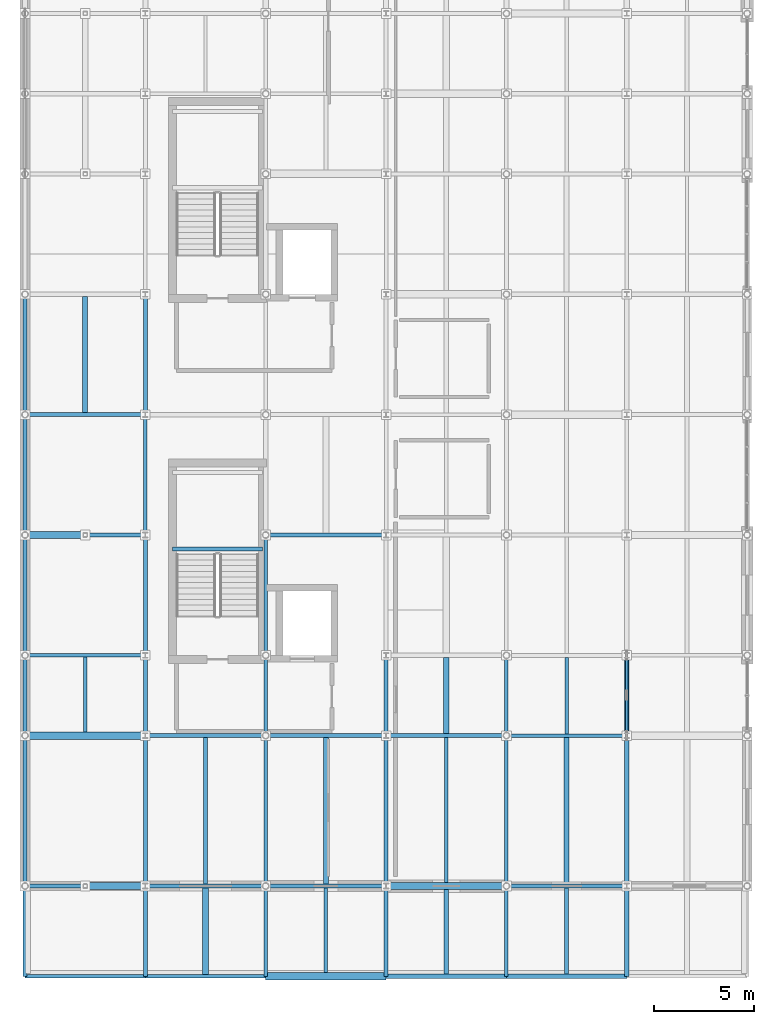
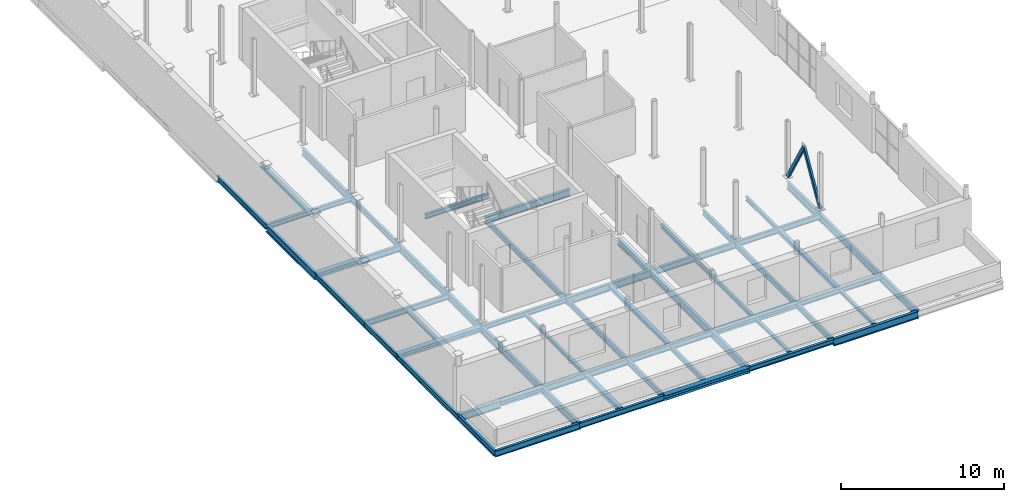
# One storey, part 11 of 30: 59 beams, 2 members.
"""IFC4 building model written with IfcOpenShell, lengths in metres."""

from ifc_helpers import new_model, si_unit, direction, frame, origin, origin_2d, place, context, subcontext, project, spatial, hollow_rectangle, i_section, extrude, material, material_profile, profile_set, type_object, element, save


model = new_model("IFC4")

# Units and contexts
model_context = context("Model", 3, precision=1e-05, world=origin(), true_north=direction((0.0, 1.0)))
body_context = subcontext(model_context, "Body", "Model", "MODEL_VIEW")
ifc_project = project(units=[si_unit("LENGTHUNIT", "METRE"), si_unit("AREAUNIT", "SQUARE_METRE"), si_unit("VOLUMEUNIT", "CUBIC_METRE"), si_unit("PLANEANGLEUNIT", "RADIAN"), si_unit("MASSUNIT", "GRAM", prefix="KILO")], contexts=[model_context])

# Site, building, storey
site_placement = place(None, origin())
site = spatial("IfcSite", under=ifc_project, at=site_placement, CompositionType="ELEMENT")
building_placement = place(site_placement, origin())
building = spatial("IfcBuilding", under=site, at=building_placement, Name="Verrall Gate Interchange", CompositionType="ELEMENT")
storey_placement = place(building_placement, frame((0.0, 0.0, 19.39990234375)))
storey = spatial("IfcBuildingStorey", under=building, at=storey_placement, Name="L05", CompositionType="ELEMENT", Elevation=19.39990234375)

# Beams
ifc_material_1 = material(Name="Structural Steel CSA G40.21 350W", Category="steel")
ifc_material_profile_1 = material_profile(ifc_material_1, i_section(OverallWidth=0.2109375, OverallDepth=0.5390625, WebThickness=0.01171875, FlangeThickness=0.018798828125, FilletRadius=0.013916015625, at=origin_2d()), Name="W530x109")
ifc_profile_set_1 = profile_set([ifc_material_profile_1], Name="Structural Steel CSA G40.21 350W")
beam_type_1 = type_object("IfcBeamType", Name="B-10 Structural Beam W530x109", PredefinedType="BEAM", material=ifc_profile_set_1)
beam_1_placement = place(storey_placement, frame((24.0, 0.0, -0.599365234375), z_axis=(1.0, 0.0, 0.0), x_axis=(0.0, 1.0, 0.0)))
element("IfcBeam", 1, at=beam_1_placement, inside=storey, type_object=beam_type_1, Name="L05 Girder BM-L05-2850 (B-10)", PredefinedType="BEAM", context=body_context, shape_type="SweptSolid", body=[
    extrude(i_section(OverallWidth=0.2109375, OverallDepth=0.5390625, WebThickness=0.01171875, FlangeThickness=0.018798828125, FilletRadius=0.013916015625, at=origin_2d()), origin(), (0.0, 0.0, 1.0), 6.0),
])
beam_2_placement = place(storey_placement, frame((0.0, 4.5, -0.599365234375), z_axis=(1.0, 0.0, 0.0), x_axis=(0.0, 1.0, 0.0)))
element("IfcBeam", 2, at=beam_2_placement, inside=storey, type_object=beam_type_1, Name="L05 Girder BM-L05-2852 (B-10)", PredefinedType="BEAM", context=body_context, shape_type="SweptSolid", body=[
    extrude(i_section(OverallWidth=0.2109375, OverallDepth=0.5390625, WebThickness=0.01171875, FlangeThickness=0.018798828125, FilletRadius=0.013916015625, at=origin_2d()), origin(), (0.0, 0.0, 1.0), 3.0),
])
for number, where, z_axis, x_axis, name in (
    (3, (12.0, 12.0, -0.599365234375), (1.0, 0.0, 0.0), (0.0, 1.0, 0.0), "L05 Girder BM-L05-2861 (B-10)"),
    (4, (12.0, 22.0, -0.599365234375), (1.0, 0.0, 0.0), (0.0, 1.0, 0.0), "L05 Girder BM-L05-2871 (B-10)"),
    (5, (0.0, 22.0, -0.599365234375), (0.0, 1.0, 0.0), (-1.0, 0.0, 0.0), "L05 Girder BM-L05-2923 (B-10)"),
):
    element("IfcBeam", number, at=place(storey_placement, frame(where, z_axis=z_axis, x_axis=x_axis)), inside=storey, type_object=beam_type_1, Name=name, PredefinedType="BEAM", context=body_context, shape_type="SweptSolid", body=[
        extrude(i_section(OverallWidth=0.2109375, OverallDepth=0.5390625, WebThickness=0.01171875, FlangeThickness=0.018798828125, FilletRadius=0.013916015625, at=origin_2d()), origin(), (0.0, 0.0, 1.0), 6.0),
    ])
beam_3_placement = place(storey_placement, frame((6.0, 0.0, -0.599365234375), z_axis=(0.0, 1.0, 0.0), x_axis=(-1.0, 0.0, 0.0)))
element("IfcBeam", 6, at=beam_3_placement, inside=storey, type_object=beam_type_1, Name="L05 Girder BM-L05-2932 (B-10)", PredefinedType="BEAM", context=body_context, shape_type="SweptSolid", body=[
    extrude(i_section(OverallWidth=0.2109375, OverallDepth=0.5390625, WebThickness=0.01171875, FlangeThickness=0.018798828125, FilletRadius=0.013916015625, at=origin_2d()), origin(), (0.0, 0.0, 1.0), 4.5),
])
beam_4_placement = place(storey_placement, frame((6.0, 4.5, -0.599365234375), z_axis=(0.0, 1.0, 0.0), x_axis=(-1.0, 0.0, 0.0)))
element("IfcBeam", 7, at=beam_4_placement, inside=storey, type_object=beam_type_1, Name="L05 Girder BM-L05-2933 (B-10)", PredefinedType="BEAM", context=body_context, shape_type="SweptSolid", body=[
    extrude(i_section(OverallWidth=0.2109375, OverallDepth=0.5390625, WebThickness=0.01171875, FlangeThickness=0.018798828125, FilletRadius=0.013916015625, at=origin_2d()), origin(), (0.0, 0.0, 1.0), 7.5),
])
beam_5_placement = place(storey_placement, frame((6.0, 12.0, -0.599365234375), z_axis=(0.0, 1.0, 0.0), x_axis=(-1.0, 0.0, 0.0)))
element("IfcBeam", 8, at=beam_5_placement, inside=storey, type_object=beam_type_1, Name="L05 Girder BM-L05-2934 (B-10)", PredefinedType="BEAM", context=body_context, shape_type="SweptSolid", body=[
    extrude(i_section(OverallWidth=0.2109375, OverallDepth=0.5390625, WebThickness=0.01171875, FlangeThickness=0.018798828125, FilletRadius=0.013916015625, at=origin_2d()), origin(), (0.0, 0.0, 1.0), 4.0),
])
for number, where, z_axis, x_axis, name in (
    (9, (6.0, 16.0, -0.599365234375), (0.0, 1.0, 0.0), (-1.0, 0.0, 0.0), "L05 Girder BM-L05-2935 (B-10)"),
    (10, (6.0, 28.0, -0.599365234375), (0.0, 1.0, 0.0), (-1.0, 0.0, 0.0), "L05 Girder BM-L05-2937 (B-10)"),
):
    element("IfcBeam", number, at=place(storey_placement, frame(where, z_axis=z_axis, x_axis=x_axis)), inside=storey, type_object=beam_type_1, Name=name, PredefinedType="BEAM", context=body_context, shape_type="SweptSolid", body=[
        extrude(i_section(OverallWidth=0.2109375, OverallDepth=0.5390625, WebThickness=0.01171875, FlangeThickness=0.018798828125, FilletRadius=0.013916015625, at=origin_2d()), origin(), (0.0, 0.0, 1.0), 6.0),
    ])
beam_6_placement = place(storey_placement, frame((18.0, 0.0, -0.599365234375), z_axis=(0.0, 1.0, 0.0), x_axis=(-1.0, 0.0, 0.0)))
element("IfcBeam", 11, at=beam_6_placement, inside=storey, type_object=beam_type_1, Name="L05 Girder BM-L05-2956 (B-10)", PredefinedType="BEAM", context=body_context, shape_type="SweptSolid", body=[
    extrude(i_section(OverallWidth=0.2109375, OverallDepth=0.5390625, WebThickness=0.01171875, FlangeThickness=0.018798828125, FilletRadius=0.013916015625, at=origin_2d()), origin(), (0.0, 0.0, 1.0), 4.5),
])
beam_7_placement = place(storey_placement, frame((18.0, 4.5, -0.599365234375), z_axis=(0.0, 1.0, 0.0), x_axis=(-1.0, 0.0, 0.0)))
element("IfcBeam", 12, at=beam_7_placement, inside=storey, type_object=beam_type_1, Name="L05 Girder BM-L05-2957 (B-10)", PredefinedType="BEAM", context=body_context, shape_type="SweptSolid", body=[
    extrude(i_section(OverallWidth=0.2109375, OverallDepth=0.5390625, WebThickness=0.01171875, FlangeThickness=0.018798828125, FilletRadius=0.013916015625, at=origin_2d()), origin(), (0.0, 0.0, 1.0), 7.5),
])
beam_8_placement = place(storey_placement, frame((18.0, 12.0, -0.599365234375), z_axis=(0.0, 1.0, 0.0), x_axis=(-1.0, 0.0, 0.0)))
element("IfcBeam", 13, at=beam_8_placement, inside=storey, type_object=beam_type_1, Name="L05 Girder BM-L05-2958 (B-10)", PredefinedType="BEAM", context=body_context, shape_type="SweptSolid", body=[
    extrude(i_section(OverallWidth=0.2109375, OverallDepth=0.5390625, WebThickness=0.01171875, FlangeThickness=0.018798828125, FilletRadius=0.013916015625, at=origin_2d()), origin(), (0.0, 0.0, 1.0), 4.0),
])
beam_9_placement = place(storey_placement, frame((30.0, 0.0, -0.599365234375), z_axis=(0.0, 1.0, 0.0), x_axis=(-1.0, 0.0, 0.0)))
element("IfcBeam", 14, at=beam_9_placement, inside=storey, type_object=beam_type_1, Name="L05 Girder BM-L05-2980 (B-10)", PredefinedType="BEAM", context=body_context, shape_type="SweptSolid", body=[
    extrude(i_section(OverallWidth=0.2109375, OverallDepth=0.5390625, WebThickness=0.01171875, FlangeThickness=0.018798828125, FilletRadius=0.013916015625, at=origin_2d()), origin(), (0.0, 0.0, 1.0), 4.5),
])
beam_10_placement = place(storey_placement, frame((30.0, 4.5, -0.599365234375), z_axis=(0.0, 1.0, 0.0), x_axis=(-1.0, 0.0, 0.0)))
element("IfcBeam", 15, at=beam_10_placement, inside=storey, type_object=beam_type_1, Name="L05 Girder BM-L05-2981 (B-10)", PredefinedType="BEAM", context=body_context, shape_type="SweptSolid", body=[
    extrude(i_section(OverallWidth=0.2109375, OverallDepth=0.5390625, WebThickness=0.01171875, FlangeThickness=0.018798828125, FilletRadius=0.013916015625, at=origin_2d()), origin(), (0.0, 0.0, 1.0), 7.5),
])
beam_11_placement = place(storey_placement, frame((30.0, 12.0, -0.599365234375), z_axis=(0.0, 1.0, 0.0), x_axis=(-1.0, 0.0, 0.0)))
element("IfcBeam", 16, at=beam_11_placement, inside=storey, type_object=beam_type_1, Name="L05 Girder BM-L05-2982 (B-10)", PredefinedType="BEAM", context=body_context, shape_type="SweptSolid", body=[
    extrude(i_section(OverallWidth=0.2109375, OverallDepth=0.5390625, WebThickness=0.01171875, FlangeThickness=0.018798828125, FilletRadius=0.013916015625, at=origin_2d()), origin(), (0.0, 0.0, 1.0), 4.0),
])
ifc_material_2 = material(Name="Structural Steel CSA G40.21 350W", Category="steel")
ifc_material_profile_2 = material_profile(ifc_material_2, i_section(OverallWidth=0.19189453125, OverallDepth=0.462890625, WebThickness=0.010498046875, FlangeThickness=0.017578125, FilletRadius=0.012939453125, at=origin_2d()), Name="W460x89")
ifc_profile_set_2 = profile_set([ifc_material_profile_2], Name="Structural Steel CSA G40.21 350W")
beam_type_2 = type_object("IfcBeamType", Name="B-11 Structural Beam W460x89", PredefinedType="BEAM", material=ifc_profile_set_2)
for number, where, z_axis, x_axis, name in (
    (17, (0.0, 0.0, -0.5615234375), (1.0, 0.0, 0.0), (0.0, 1.0, 0.0), "L05 Girder BM-L05-2846 (B-11)"),
    (18, (6.0, 4.5, -0.5615234375), (1.0, 0.0, 0.0), (0.0, 1.0, 0.0), "L05 Girder BM-L05-2854 (B-11)"),
    (19, (18.0, 12.0, -0.5615234375), (1.0, 0.0, 0.0), (0.0, 1.0, 0.0), "L05 Girder BM-L05-2862 (B-11)"),
):
    element("IfcBeam", number, at=place(storey_placement, frame(where, z_axis=z_axis, x_axis=x_axis)), inside=storey, type_object=beam_type_2, Name=name, PredefinedType="BEAM", context=body_context, shape_type="SweptSolid", body=[
        extrude(i_section(OverallWidth=0.19189453125, OverallDepth=0.462890625, WebThickness=0.010498046875, FlangeThickness=0.017578125, FilletRadius=0.012939453125, at=origin_2d()), origin(), (0.0, 0.0, 1.0), 6.0),
    ])
beam_12_placement = place(storey_placement, frame((3.0, 22.0, -0.5615234375), z_axis=(1.0, 0.0, 0.0), x_axis=(0.0, 1.0, 0.0)))
element("IfcBeam", 20, at=beam_12_placement, inside=storey, type_object=beam_type_2, Name="L05 Girder BM-L05-2870 (B-11)", PredefinedType="BEAM", context=body_context, shape_type="SweptSolid", body=[
    extrude(i_section(OverallWidth=0.19189453125, OverallDepth=0.462890625, WebThickness=0.010498046875, FlangeThickness=0.017578125, FilletRadius=0.012939453125, at=origin_2d()), origin(), (0.0, 0.0, 1.0), 3.0),
])
ifc_material_3 = material(Name="Structural Steel CSA G40.21 350W", Category="steel")
ifc_material_profile_3 = material_profile(ifc_material_3, i_section(OverallWidth=0.178955078125, OverallDepth=0.409912109375, WebThickness=0.0087890625, FlangeThickness=0.014404296875, FilletRadius=0.011962890625, at=origin_2d()), Name="W410x67")
ifc_profile_set_3 = profile_set([ifc_material_profile_3], Name="Structural Steel CSA G40.21 350W")
beam_type_3 = type_object("IfcBeamType", Name="B-12 Structural Beam W410x67", PredefinedType="BEAM", material=ifc_profile_set_3)
for number, where, z_axis, x_axis, name in (
    (21, (6.0, 0.0, -0.534912109375), (1.0, 0.0, 0.0), (0.0, 1.0, 0.0), "L05 Girder BM-L05-2847 (B-12)"),
    (22, (12.0, 4.5, -0.534912109375), (1.0, 0.0, 0.0), (0.0, 1.0, 0.0), "L05 Girder BM-L05-2855 (B-12)"),
    (23, (24.0, 12.0, -0.534912109375), (1.0, 0.0, 0.0), (0.0, 1.0, 0.0), "L05 Girder BM-L05-2863 (B-12)"),
    (24, (0.0, 16.0, -0.534912109375), (1.0, 0.0, 0.0), (0.0, 1.0, 0.0), "L05 Girder BM-L05-2865 (B-12)"),
):
    element("IfcBeam", number, at=place(storey_placement, frame(where, z_axis=z_axis, x_axis=x_axis)), inside=storey, type_object=beam_type_3, Name=name, PredefinedType="BEAM", context=body_context, shape_type="SweptSolid", body=[
        extrude(i_section(OverallWidth=0.178955078125, OverallDepth=0.409912109375, WebThickness=0.0087890625, FlangeThickness=0.014404296875, FilletRadius=0.011962890625, at=origin_2d()), origin(), (0.0, 0.0, 1.0), 6.0),
    ])
beam_13_placement = place(storey_placement, frame((0.0, 0.0, -0.534912109375), z_axis=(0.0, 1.0, 0.0), x_axis=(-1.0, 0.0, 0.0)))
element("IfcBeam", 25, at=beam_13_placement, inside=storey, type_object=beam_type_3, Name="L05 Girder BM-L05-2919 (B-12)", PredefinedType="BEAM", context=body_context, shape_type="SweptSolid", body=[
    extrude(i_section(OverallWidth=0.178955078125, OverallDepth=0.409912109375, WebThickness=0.0087890625, FlangeThickness=0.014404296875, FilletRadius=0.011962890625, at=origin_2d()), origin(), (0.0, 0.0, 1.0), 4.5),
])
beam_14_placement = place(storey_placement, frame((0.0, 4.5, -0.534912109375), z_axis=(0.0, 1.0, 0.0), x_axis=(-1.0, 0.0, 0.0)))
element("IfcBeam", 26, at=beam_14_placement, inside=storey, type_object=beam_type_3, Name="L05 Girder BM-L05-2920 (B-12)", PredefinedType="BEAM", context=body_context, shape_type="SweptSolid", body=[
    extrude(i_section(OverallWidth=0.178955078125, OverallDepth=0.409912109375, WebThickness=0.0087890625, FlangeThickness=0.014404296875, FilletRadius=0.011962890625, at=origin_2d()), origin(), (0.0, 0.0, 1.0), 7.5),
])
beam_15_placement = place(storey_placement, frame((0.0, 12.0, -0.534912109375), z_axis=(0.0, 1.0, 0.0), x_axis=(-1.0, 0.0, 0.0)))
element("IfcBeam", 27, at=beam_15_placement, inside=storey, type_object=beam_type_3, Name="L05 Girder BM-L05-2921 (B-12)", PredefinedType="BEAM", context=body_context, shape_type="SweptSolid", body=[
    extrude(i_section(OverallWidth=0.178955078125, OverallDepth=0.409912109375, WebThickness=0.0087890625, FlangeThickness=0.014404296875, FilletRadius=0.011962890625, at=origin_2d()), origin(), (0.0, 0.0, 1.0), 4.0),
])
for number, where, z_axis, x_axis, name in (
    (28, (0.0, 16.0, -0.534912109375), (0.0, 1.0, 0.0), (-1.0, 0.0, 0.0), "L05 Girder BM-L05-2922 (B-12)"),
    (29, (0.0, 28.0, -0.534912109375), (0.0, 1.0, 0.0), (-1.0, 0.0, 0.0), "L05 Girder BM-L05-2924 (B-12)"),
    (30, (6.0, 22.0, -0.534912109375), (0.0, 1.0, 0.0), (-1.0, 0.0, 0.0), "L05 Girder BM-L05-2936 (B-12)"),
):
    element("IfcBeam", number, at=place(storey_placement, frame(where, z_axis=z_axis, x_axis=x_axis)), inside=storey, type_object=beam_type_3, Name=name, PredefinedType="BEAM", context=body_context, shape_type="SweptSolid", body=[
        extrude(i_section(OverallWidth=0.178955078125, OverallDepth=0.409912109375, WebThickness=0.0087890625, FlangeThickness=0.014404296875, FilletRadius=0.011962890625, at=origin_2d()), origin(), (0.0, 0.0, 1.0), 6.0),
    ])
beam_16_placement = place(storey_placement, frame((12.0, 0.0, -0.534912109375), z_axis=(0.0, 1.0, 0.0), x_axis=(-1.0, 0.0, 0.0)))
element("IfcBeam", 31, at=beam_16_placement, inside=storey, type_object=beam_type_3, Name="L05 Girder BM-L05-2944 (B-12)", PredefinedType="BEAM", context=body_context, shape_type="SweptSolid", body=[
    extrude(i_section(OverallWidth=0.178955078125, OverallDepth=0.409912109375, WebThickness=0.0087890625, FlangeThickness=0.014404296875, FilletRadius=0.011962890625, at=origin_2d()), origin(), (0.0, 0.0, 1.0), 4.5),
])
beam_17_placement = place(storey_placement, frame((12.0, 4.5, -0.534912109375), z_axis=(0.0, 1.0, 0.0), x_axis=(-1.0, 0.0, 0.0)))
element("IfcBeam", 32, at=beam_17_placement, inside=storey, type_object=beam_type_3, Name="L05 Girder BM-L05-2945 (B-12)", PredefinedType="BEAM", context=body_context, shape_type="SweptSolid", body=[
    extrude(i_section(OverallWidth=0.178955078125, OverallDepth=0.409912109375, WebThickness=0.0087890625, FlangeThickness=0.014404296875, FilletRadius=0.011962890625, at=origin_2d()), origin(), (0.0, 0.0, 1.0), 7.5),
])
beam_18_placement = place(storey_placement, frame((12.0, 12.0, -0.534912109375), z_axis=(0.0, 1.0, 0.0), x_axis=(-1.0, 0.0, 0.0)))
element("IfcBeam", 33, at=beam_18_placement, inside=storey, type_object=beam_type_3, Name="L05 Girder BM-L05-2946 (B-12)", PredefinedType="BEAM", context=body_context, shape_type="SweptSolid", body=[
    extrude(i_section(OverallWidth=0.178955078125, OverallDepth=0.409912109375, WebThickness=0.0087890625, FlangeThickness=0.014404296875, FilletRadius=0.011962890625, at=origin_2d()), origin(), (0.0, 0.0, 1.0), 4.0),
])
beam_19_placement = place(storey_placement, frame((12.0, 16.0, -0.534912109375), z_axis=(0.0, 1.0, 0.0), x_axis=(-1.0, 0.0, 0.0)))
element("IfcBeam", 34, at=beam_19_placement, inside=storey, type_object=beam_type_3, Name="L05 Girder BM-L05-2947 (B-12)", PredefinedType="BEAM", context=body_context, shape_type="SweptSolid", body=[
    extrude(i_section(OverallWidth=0.178955078125, OverallDepth=0.409912109375, WebThickness=0.0087890625, FlangeThickness=0.014404296875, FilletRadius=0.011962890625, at=origin_2d()), origin(), (0.0, 0.0, 1.0), 6.0),
])
beam_20_placement = place(storey_placement, frame((24.0, 0.0, -0.534912109375), z_axis=(0.0, 1.0, 0.0), x_axis=(-1.0, 0.0, 0.0)))
element("IfcBeam", 35, at=beam_20_placement, inside=storey, type_object=beam_type_3, Name="L05 Girder BM-L05-2968 (B-12)", PredefinedType="BEAM", context=body_context, shape_type="SweptSolid", body=[
    extrude(i_section(OverallWidth=0.178955078125, OverallDepth=0.409912109375, WebThickness=0.0087890625, FlangeThickness=0.014404296875, FilletRadius=0.011962890625, at=origin_2d()), origin(), (0.0, 0.0, 1.0), 4.5),
])
beam_21_placement = place(storey_placement, frame((24.0, 4.5, -0.534912109375), z_axis=(0.0, 1.0, 0.0), x_axis=(-1.0, 0.0, 0.0)))
element("IfcBeam", 36, at=beam_21_placement, inside=storey, type_object=beam_type_3, Name="L05 Girder BM-L05-2969 (B-12)", PredefinedType="BEAM", context=body_context, shape_type="SweptSolid", body=[
    extrude(i_section(OverallWidth=0.178955078125, OverallDepth=0.409912109375, WebThickness=0.0087890625, FlangeThickness=0.014404296875, FilletRadius=0.011962890625, at=origin_2d()), origin(), (0.0, 0.0, 1.0), 7.5),
])
beam_22_placement = place(storey_placement, frame((24.0, 12.0, -0.534912109375), z_axis=(0.0, 1.0, 0.0), x_axis=(-1.0, 0.0, 0.0)))
element("IfcBeam", 37, at=beam_22_placement, inside=storey, type_object=beam_type_3, Name="L05 Girder BM-L05-2970 (B-12)", PredefinedType="BEAM", context=body_context, shape_type="SweptSolid", body=[
    extrude(i_section(OverallWidth=0.178955078125, OverallDepth=0.409912109375, WebThickness=0.0087890625, FlangeThickness=0.014404296875, FilletRadius=0.011962890625, at=origin_2d()), origin(), (0.0, 0.0, 1.0), 4.0),
])
ifc_material_4 = material(Name="Structural Steel CSA G40.21 350W", Category="steel")
ifc_material_profile_4 = material_profile(ifc_material_4, i_section(OverallWidth=0.368896484375, OverallDepth=0.35595703125, WebThickness=0.01123046875, FlangeThickness=0.01806640625, FilletRadius=0.014892578125, at=origin_2d()), Name="W360x134")
ifc_profile_set_4 = profile_set([ifc_material_profile_4], Name="Structural Steel CSA G40.21 350W")
beam_type_4 = type_object("IfcBeamType", Name="B-13 Structural Beam W360x134", PredefinedType="BEAM", material=ifc_profile_set_4)
beam_23_placement = place(storey_placement, frame((12.0, 0.0, -0.5078125), z_axis=(1.0, 0.0, 0.0), x_axis=(0.0, 1.0, 0.0)))
element("IfcBeam", 38, at=beam_23_placement, inside=storey, type_object=beam_type_4, Name="L05 Girder BM-L05-2848 (B-13)", PredefinedType="BEAM", context=body_context, shape_type="SweptSolid", body=[
    extrude(i_section(OverallWidth=0.368896484375, OverallDepth=0.35595703125, WebThickness=0.01123046875, FlangeThickness=0.01806640625, FilletRadius=0.014892578125, at=origin_2d()), origin(), (0.0, 0.0, 1.0), 6.0),
])
beam_24_placement = place(storey_placement, frame((3.0, 4.5, -0.5078125), z_axis=(1.0, 0.0, 0.0), x_axis=(0.0, 1.0, 0.0)))
element("IfcBeam", 39, at=beam_24_placement, inside=storey, type_object=beam_type_4, Name="L05 Girder BM-L05-2853 (B-13)", PredefinedType="BEAM", context=body_context, shape_type="SweptSolid", body=[
    extrude(i_section(OverallWidth=0.368896484375, OverallDepth=0.35595703125, WebThickness=0.01123046875, FlangeThickness=0.01806640625, FilletRadius=0.014892578125, at=origin_2d()), origin(), (0.0, 0.0, 1.0), 3.0),
])
for number, where, z_axis, x_axis, name in (
    (40, (18.0, 4.5, -0.5078125), (1.0, 0.0, 0.0), (0.0, 1.0, 0.0), "L05 Girder BM-L05-2856 (B-13)"),
    (41, (0.0, 12.0, -0.5078125), (1.0, 0.0, 0.0), (0.0, 1.0, 0.0), "L05 Girder BM-L05-2859 (B-13)"),
):
    element("IfcBeam", number, at=place(storey_placement, frame(where, z_axis=z_axis, x_axis=x_axis)), inside=storey, type_object=beam_type_4, Name=name, PredefinedType="BEAM", context=body_context, shape_type="SweptSolid", body=[
        extrude(i_section(OverallWidth=0.368896484375, OverallDepth=0.35595703125, WebThickness=0.01123046875, FlangeThickness=0.01806640625, FilletRadius=0.014892578125, at=origin_2d()), origin(), (0.0, 0.0, 1.0), 6.0),
    ])
beam_25_placement = place(storey_placement, frame((0.0, 22.0, -0.5078125), z_axis=(1.0, 0.0, 0.0), x_axis=(0.0, 1.0, 0.0)))
element("IfcBeam", 42, at=beam_25_placement, inside=storey, type_object=beam_type_4, Name="L05 Girder BM-L05-2869 (B-13)", PredefinedType="BEAM", context=body_context, shape_type="SweptSolid", body=[
    extrude(i_section(OverallWidth=0.368896484375, OverallDepth=0.35595703125, WebThickness=0.01123046875, FlangeThickness=0.01806640625, FilletRadius=0.014892578125, at=origin_2d()), origin(), (0.0, 0.0, 1.0), 3.0),
])
ifc_material_5 = material(Name="Structural Steel CSA G40.21 350W", Category="steel")
ifc_material_profile_5 = material_profile(ifc_material_5, i_section(OverallWidth=0.205078125, OverallDepth=0.35400390625, WebThickness=0.009521484375, FlangeThickness=0.016845703125, FilletRadius=0.012939453125, at=origin_2d()), Name="W360x79")
ifc_profile_set_5 = profile_set([ifc_material_profile_5], Name="Structural Steel CSA G40.21 350W")
beam_type_5 = type_object("IfcBeamType", Name="B-14 Structural Beam W360x79", PredefinedType="BEAM", material=ifc_profile_set_5)
for number, where, z_axis, x_axis, name in (
    (43, (18.0, 0.0, -0.5068359375), (1.0, 0.0, 0.0), (0.0, 1.0, 0.0), "L05 Girder BM-L05-2849 (B-14)"),
    (44, (24.0, 4.5, -0.5068359375), (1.0, 0.0, 0.0), (0.0, 1.0, 0.0), "L05 Girder BM-L05-2857 (B-14)"),
    (45, (6.0, 12.0, -0.5068359375), (1.0, 0.0, 0.0), (0.0, 1.0, 0.0), "L05 Girder BM-L05-2860 (B-14)"),
    (46, (0.0, 28.0, -0.5068359375), (1.0, 0.0, 0.0), (0.0, 1.0, 0.0), "L05 Girder BM-L05-2875 (B-14)"),
):
    element("IfcBeam", number, at=place(storey_placement, frame(where, z_axis=z_axis, x_axis=x_axis)), inside=storey, type_object=beam_type_5, Name=name, PredefinedType="BEAM", context=body_context, shape_type="SweptSolid", body=[
        extrude(i_section(OverallWidth=0.205078125, OverallDepth=0.35400390625, WebThickness=0.009521484375, FlangeThickness=0.016845703125, FilletRadius=0.012939453125, at=origin_2d()), origin(), (0.0, 0.0, 1.0), 6.0),
    ])
beam_26_placement = place(storey_placement, frame((7.35009765625, 21.31005859375, 1.72998046875), z_axis=(1.0, 0.0, 0.0), x_axis=(0.0, 1.0, 0.0)))
element("IfcBeam", 47, at=beam_26_placement, inside=storey, type_object=beam_type_5, Name="L05 Core C1 Mid-Landing Beam 1", PredefinedType="BEAM", context=body_context, shape_type="SweptSolid", body=[
    extrude(i_section(OverallWidth=0.205078125, OverallDepth=0.35400390625, WebThickness=0.009521484375, FlangeThickness=0.016845703125, FilletRadius=0.012939453125, at=origin_2d()), origin(), (0.0, 0.0, 1.0), 4.5),
])

# Members
ifc_material_6 = material(Name="Structural Steel CSA G40.21 350W", Category="steel")
ifc_material_profile_6 = material_profile(ifc_material_6, hollow_rectangle(XDim=0.152099609375, YDim=0.25390625, WallThickness=0.009521484375, InnerFilletRadius=0.009521484375, OuterFilletRadius=0.01904296875, at=origin_2d()), Name="HSS254x152x9.5")
ifc_profile_set_6 = profile_set([ifc_material_profile_6], Name="Structural Steel CSA G40.21 350W")
member_type = type_object("IfcMemberType", Name="BR-05 Diagonal Brace HSS254x152x9.5", PredefinedType="BRACE", material=ifc_profile_set_6)
for number, where, z_axis, x_axis, name in (
    (48, (30.0, 12.0, 0.0), (0.0, 0.504794085388, 0.863239787867), (-1.0, 0.0, 0.0), "Chevron Brace CBF5 L05 Leg A"),
    (49, (30.0, 16.0, 0.0), (0.0, -0.504794085388, 0.863239787867), (1.0, 0.0, 0.0), "Chevron Brace CBF5 L05 Leg B"),
):
    element("IfcMember", number, at=place(storey_placement, frame(where, z_axis=z_axis, x_axis=x_axis)), inside=storey, type_object=member_type, Name=name, PredefinedType="BRACE", context=body_context, shape_type="SweptSolid", body=[
        extrude(hollow_rectangle(XDim=0.152099609375, YDim=0.25390625, WallThickness=0.009521484375, InnerFilletRadius=0.009521484375, OuterFilletRadius=0.01904296875, at=origin_2d()), origin(), (0.0, 0.0, 1.0), 3.9619140625),
    ])

# Beams
ifc_material_7 = material(Name="Structural Steel CSA G40.21 350W", Category="steel")
ifc_material_profile_7 = material_profile(ifc_material_7, i_section(OverallWidth=0.172119140625, OverallDepth=0.35791015625, WebThickness=0.0078125, FlangeThickness=0.01318359375, FilletRadius=0.010986328125, at=origin_2d()), Name="W360x57")
ifc_profile_set_7 = profile_set([ifc_material_profile_7], Name="Structural Steel CSA G40.21 350W")
beam_type_6 = type_object("IfcBeamType", Name="J-01 Floor Joist W360x57", PredefinedType="JOIST", material=ifc_profile_set_7)
beam_27_placement = place(storey_placement, frame((15.0, 0.1845703125, -0.5087890625), z_axis=(0.0, 1.0, 0.0), x_axis=(-1.0, 0.0, 0.0)))
element("IfcBeam", 50, at=beam_27_placement, inside=storey, type_object=beam_type_6, Name="L05 Secondary Floor Joist JST-L05-3005", PredefinedType="JOIST", context=body_context, shape_type="SweptSolid", body=[
    extrude(i_section(OverallWidth=0.172119140625, OverallDepth=0.35791015625, WebThickness=0.0078125, FlangeThickness=0.01318359375, FilletRadius=0.010986328125, at=origin_2d()), origin(), (0.0, 0.0, 1.0), 4.225830078125),
])
beam_28_placement = place(storey_placement, frame((3.0, 12.1845703125, -0.5087890625), z_axis=(0.0, 1.0, 0.0), x_axis=(-1.0, 0.0, 0.0)))
element("IfcBeam", 51, at=beam_28_placement, inside=storey, type_object=beam_type_6, Name="L05 Secondary Floor Joist JST-L05-3014", PredefinedType="JOIST", context=body_context, shape_type="SweptSolid", body=[
    extrude(i_section(OverallWidth=0.172119140625, OverallDepth=0.35791015625, WebThickness=0.0078125, FlangeThickness=0.01318359375, FilletRadius=0.010986328125, at=origin_2d()), origin(), (0.0, 0.0, 1.0), 3.725830078125),
])
ifc_material_8 = material(Name="Structural Steel CSA G40.21 350W", Category="steel")
ifc_material_profile_8 = material_profile(ifc_material_8, i_section(OverallWidth=0.306884765625, OverallDepth=0.31396484375, WebThickness=0.011962890625, FlangeThickness=0.018798828125, FilletRadius=0.013916015625, at=origin_2d()), Name="W310x118")
ifc_profile_set_8 = profile_set([ifc_material_profile_8], Name="Structural Steel CSA G40.21 350W")
beam_type_7 = type_object("IfcBeamType", Name="J-02 Floor Joist W310x118", PredefinedType="JOIST", material=ifc_profile_set_8)
beam_29_placement = place(storey_placement, frame((9.0, 0.089599609375, -0.48681640625), z_axis=(0.0, 1.0, 0.0), x_axis=(-1.0, 0.0, 0.0)))
element("IfcBeam", 52, at=beam_29_placement, inside=storey, type_object=beam_type_7, Name="L05 Secondary Floor Joist JST-L05-3004", PredefinedType="JOIST", context=body_context, shape_type="SweptSolid", body=[
    extrude(i_section(OverallWidth=0.306884765625, OverallDepth=0.31396484375, WebThickness=0.011962890625, FlangeThickness=0.018798828125, FilletRadius=0.013916015625, at=origin_2d()), origin(), (0.0, 0.0, 1.0), 4.314453125),
])
ifc_material_9 = material(Name="Structural Steel CSA G40.21 350W", Category="steel")
ifc_material_profile_9 = material_profile(ifc_material_9, i_section(OverallWidth=0.25390625, OverallDepth=0.305908203125, WebThickness=0.0087890625, FlangeThickness=0.0146484375, FilletRadius=0.012939453125, at=origin_2d()), Name="W310x79")
ifc_profile_set_9 = profile_set([ifc_material_profile_9], Name="Structural Steel CSA G40.21 350W")
beam_type_8 = type_object("IfcBeamType", Name="J-03 Floor Joist W310x79", PredefinedType="JOIST", material=ifc_profile_set_9)
beam_30_placement = place(storey_placement, frame((27.0, 4.6025390625, -0.48291015625), z_axis=(0.0, 1.0, 0.0), x_axis=(-1.0, 0.0, 0.0)))
element("IfcBeam", 53, at=beam_30_placement, inside=storey, type_object=beam_type_8, Name="L05 Secondary Floor Joist JST-L05-3012", PredefinedType="JOIST", context=body_context, shape_type="SweptSolid", body=[
    extrude(i_section(OverallWidth=0.25390625, OverallDepth=0.305908203125, WebThickness=0.0087890625, FlangeThickness=0.0146484375, FilletRadius=0.012939453125, at=origin_2d()), origin(), (0.0, 0.0, 1.0), 7.307861328125),
])
beam_31_placement = place(storey_placement, frame((3.0, 28.1025390625, -0.48291015625), z_axis=(0.0, 1.0, 0.0), x_axis=(-1.0, 0.0, 0.0)))
element("IfcBeam", 54, at=beam_31_placement, inside=storey, type_object=beam_type_8, Name="L05 Secondary Floor Joist JST-L05-3025", PredefinedType="JOIST", context=body_context, shape_type="SweptSolid", body=[
    extrude(i_section(OverallWidth=0.25390625, OverallDepth=0.305908203125, WebThickness=0.0087890625, FlangeThickness=0.0146484375, FilletRadius=0.012939453125, at=origin_2d()), origin(), (0.0, 0.0, 1.0), 5.7919921875),
])
ifc_material_10 = material(Name="Structural Steel CSA G40.21 350W", Category="steel")
ifc_material_profile_10 = material_profile(ifc_material_10, i_section(OverallWidth=0.1650390625, OverallDepth=0.31005859375, WebThickness=0.005859375, FlangeThickness=0.009765625, FilletRadius=0.010009765625, at=origin_2d()), Name="W310x39")
ifc_profile_set_10 = profile_set([ifc_material_profile_10], Name="Structural Steel CSA G40.21 350W")
beam_type_9 = type_object("IfcBeamType", Name="J-04 Floor Joist W310x39", PredefinedType="JOIST", material=ifc_profile_set_10)
beam_32_placement = place(storey_placement, frame((21.0, 4.6845703125, -0.48486328125), z_axis=(0.0, 1.0, 0.0), x_axis=(-1.0, 0.0, 0.0)))
element("IfcBeam", 55, at=beam_32_placement, inside=storey, type_object=beam_type_9, Name="L05 Secondary Floor Joist JST-L05-3011", PredefinedType="JOIST", context=body_context, shape_type="SweptSolid", body=[
    extrude(i_section(OverallWidth=0.1650390625, OverallDepth=0.31005859375, WebThickness=0.005859375, FlangeThickness=0.009765625, FilletRadius=0.010009765625, at=origin_2d()), origin(), (0.0, 0.0, 1.0), 7.219482421875),
])
beam_33_placement = place(storey_placement, frame((27.0, 12.089599609375, -0.48486328125), z_axis=(0.0, 1.0, 0.0), x_axis=(-1.0, 0.0, 0.0)))
element("IfcBeam", 56, at=beam_33_placement, inside=storey, type_object=beam_type_9, Name="L05 Secondary Floor Joist JST-L05-3016", PredefinedType="JOIST", context=body_context, shape_type="SweptSolid", body=[
    extrude(i_section(OverallWidth=0.1650390625, OverallDepth=0.31005859375, WebThickness=0.005859375, FlangeThickness=0.009765625, FilletRadius=0.010009765625, at=origin_2d()), origin(), (0.0, 0.0, 1.0), 3.814453125),
])
ifc_material_11 = material(Name="Structural Steel CSA G40.21 350W", Category="steel")
ifc_material_profile_11 = material_profile(ifc_material_11, i_section(OverallWidth=0.25390625, OverallDepth=0.2529296875, WebThickness=0.008544921875, FlangeThickness=0.01416015625, FilletRadius=0.011962890625, at=origin_2d()), Name="W250x73")
ifc_profile_set_11 = profile_set([ifc_material_profile_11], Name="Structural Steel CSA G40.21 350W")
beam_type_10 = type_object("IfcBeamType", Name="J-05 Floor Joist W250x73", PredefinedType="JOIST", material=ifc_profile_set_11)
beam_34_placement = place(storey_placement, frame((15.0, 4.589599609375, -0.456298828125), z_axis=(0.0, 1.0, 0.0), x_axis=(-1.0, 0.0, 0.0)))
element("IfcBeam", 57, at=beam_34_placement, inside=storey, type_object=beam_type_10, Name="L05 Secondary Floor Joist JST-L05-3010", PredefinedType="JOIST", context=body_context, shape_type="SweptSolid", body=[
    extrude(i_section(OverallWidth=0.25390625, OverallDepth=0.2529296875, WebThickness=0.008544921875, FlangeThickness=0.01416015625, FilletRadius=0.011962890625, at=origin_2d()), origin(), (0.0, 0.0, 1.0), 7.304931640625),
])
beam_35_placement = place(storey_placement, frame((21.0, 12.095947265625, -0.456298828125), z_axis=(0.0, 1.0, 0.0), x_axis=(-1.0, 0.0, 0.0)))
element("IfcBeam", 58, at=beam_35_placement, inside=storey, type_object=beam_type_10, Name="L05 Secondary Floor Joist JST-L05-3015", PredefinedType="JOIST", context=body_context, shape_type="SweptSolid", body=[
    extrude(i_section(OverallWidth=0.25390625, OverallDepth=0.2529296875, WebThickness=0.008544921875, FlangeThickness=0.01416015625, FilletRadius=0.011962890625, at=origin_2d()), origin(), (0.0, 0.0, 1.0), 3.798583984375),
])
ifc_material_12 = material(Name="Structural Steel CSA G40.21 350W", Category="steel")
ifc_material_profile_12 = material_profile(ifc_material_12, i_section(OverallWidth=0.201904296875, OverallDepth=0.2470703125, WebThickness=0.00732421875, FlangeThickness=0.010986328125, FilletRadius=0.010986328125, at=origin_2d()), Name="W250x49")
ifc_profile_set_12 = profile_set([ifc_material_profile_12], Name="Structural Steel CSA G40.21 350W")
beam_type_11 = type_object("IfcBeamType", Name="J-06 Floor Joist W250x49", PredefinedType="JOIST", material=ifc_profile_set_12)
beam_36_placement = place(storey_placement, frame((27.0, 0.10546875, -0.453369140625), z_axis=(0.0, 1.0, 0.0), x_axis=(-1.0, 0.0, 0.0)))
element("IfcBeam", 59, at=beam_36_placement, inside=storey, type_object=beam_type_11, Name="L05 Secondary Floor Joist JST-L05-3007", PredefinedType="JOIST", context=body_context, shape_type="SweptSolid", body=[
    extrude(i_section(OverallWidth=0.201904296875, OverallDepth=0.2470703125, WebThickness=0.00732421875, FlangeThickness=0.010986328125, FilletRadius=0.010986328125, at=origin_2d()), origin(), (0.0, 0.0, 1.0), 4.2919921875),
])
beam_37_placement = place(storey_placement, frame((9.0, 4.595947265625, -0.453369140625), z_axis=(0.0, 1.0, 0.0), x_axis=(-1.0, 0.0, 0.0)))
element("IfcBeam", 60, at=beam_37_placement, inside=storey, type_object=beam_type_11, Name="L05 Secondary Floor Joist JST-L05-3009", PredefinedType="JOIST", context=body_context, shape_type="SweptSolid", body=[
    extrude(i_section(OverallWidth=0.201904296875, OverallDepth=0.2470703125, WebThickness=0.00732421875, FlangeThickness=0.010986328125, FilletRadius=0.010986328125, at=origin_2d()), origin(), (0.0, 0.0, 1.0), 7.301513671875),
])
ifc_material_13 = material(Name="Structural Steel CSA G40.21 350W", Category="steel")
ifc_material_profile_13 = material_profile(ifc_material_13, i_section(OverallWidth=0.202880859375, OverallDepth=0.202880859375, WebThickness=0.007080078125, FlangeThickness=0.010986328125, FilletRadius=0.010009765625, at=origin_2d()), Name="W200x46")
ifc_profile_set_13 = profile_set([ifc_material_profile_13], Name="Structural Steel CSA G40.21 350W")
beam_type_12 = type_object("IfcBeamType", Name="J-07 Floor Joist W200x46", PredefinedType="JOIST", material=ifc_profile_set_13)
beam_38_placement = place(storey_placement, frame((21.0, 0.1025390625, -0.431396484375), z_axis=(0.0, 1.0, 0.0), x_axis=(-1.0, 0.0, 0.0)))
element("IfcBeam", 61, at=beam_38_placement, inside=storey, type_object=beam_type_12, Name="L05 Secondary Floor Joist JST-L05-3006", PredefinedType="JOIST", context=body_context, shape_type="SweptSolid", body=[
    extrude(i_section(OverallWidth=0.202880859375, OverallDepth=0.202880859375, WebThickness=0.007080078125, FlangeThickness=0.010986328125, FilletRadius=0.010009765625, at=origin_2d()), origin(), (0.0, 0.0, 1.0), 4.212890625),
])

save(model, "model.ifc")
